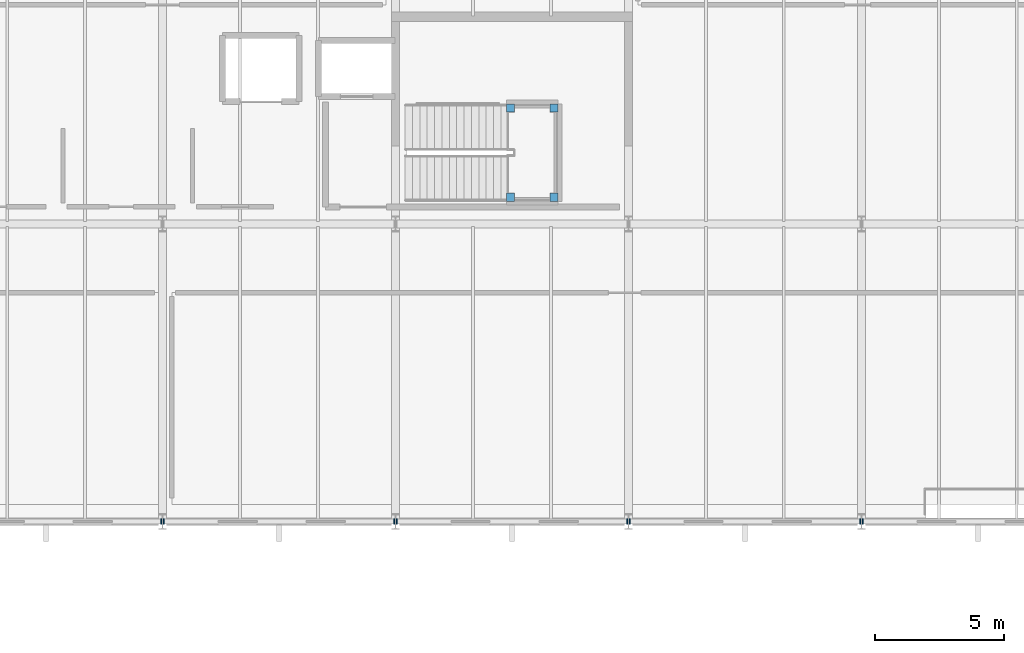
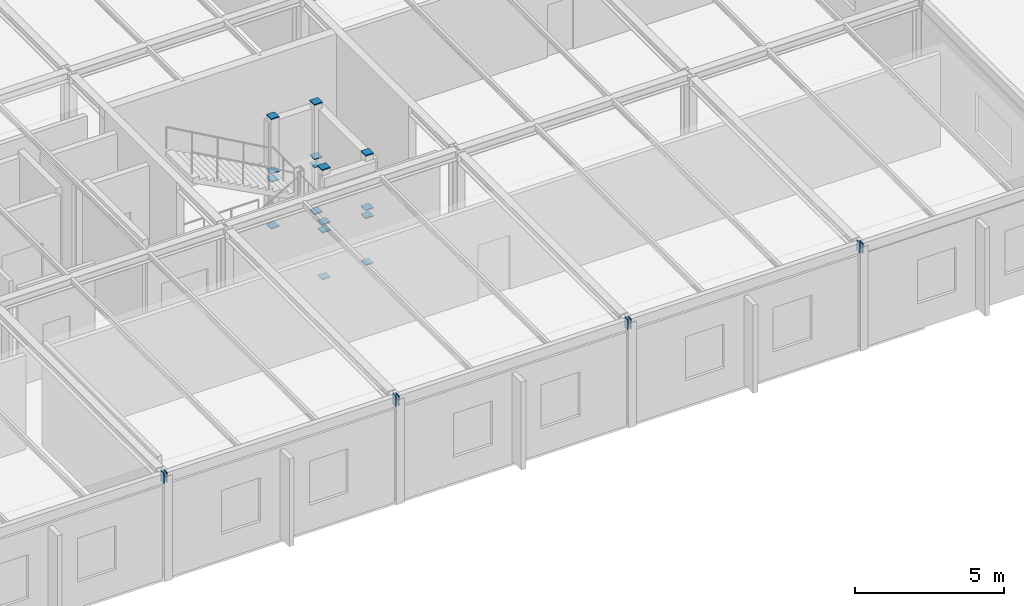
# One storey, part 73 of 105: 24 discrete accessories.
"""IFC4 building model written with IfcOpenShell, lengths in metres."""

from ifc_helpers import new_model, si_unit, direction, frame, origin, origin_2d, place, context, subcontext, project, spatial, rectangle, extrude, material, element, save


model = new_model("IFC4")

# Units and contexts
model_context = context("Model", 3, precision=1e-05, world=origin(), true_north=direction((0.0, 1.0)))
body_context = subcontext(model_context, "Body", "Model", "MODEL_VIEW")
ifc_project = project(units=[si_unit("LENGTHUNIT", "METRE"), si_unit("AREAUNIT", "SQUARE_METRE"), si_unit("VOLUMEUNIT", "CUBIC_METRE"), si_unit("PLANEANGLEUNIT", "RADIAN"), si_unit("MASSUNIT", "GRAM", prefix="KILO")], contexts=[model_context])

# Site, building, storey
site_placement = place(None, origin())
site = spatial("IfcSite", under=ifc_project, at=site_placement, CompositionType="ELEMENT")
building_placement = place(site_placement, origin())
building = spatial("IfcBuilding", under=site, at=building_placement, Name="Marlcrest Central Station", CompositionType="ELEMENT")
storey_placement = place(building_placement, frame((0.0, 0.0, 15.0)))
storey = spatial("IfcBuildingStorey", under=building, at=storey_placement, Name="L03", CompositionType="ELEMENT", Elevation=15.0)

# Discrete accessories
ifc_material = material(Name="Steel S355", Category="steel")
for number, where, z_axis, x_axis, name in (
    (1, (35.925048828125, 99.0, 4.0849609375), (1.0, 0.0, 0.0), (0.0, 1.0, 0.0), "endcap-bm-SP-01-L03-00471-e"),
    (2, (36.03515625, 99.0, 4.0849609375), (1.0, 0.0, 0.0), (0.0, 1.0, 0.0), "endcap-bm-SP-01-L03-00472-s"),
    (3, (44.925048828125, 99.0, 4.0849609375), (1.0, 0.0, 0.0), (0.0, 1.0, 0.0), "endcap-bm-SP-01-L03-00472-e"),
    (4, (45.03515625, 99.0, 4.0849609375), (1.0, 0.0, 0.0), (0.0, 1.0, 0.0), "endcap-bm-SP-01-L03-00473-s"),
    (5, (53.925048828125, 99.0, 4.0849609375), (1.0, 0.0, 0.0), (0.0, 1.0, 0.0), "endcap-bm-SP-01-L03-00473-e"),
    (6, (54.03515625, 99.0, 4.0849609375), (1.0, 0.0, 0.0), (0.0, 1.0, 0.0), "endcap-bm-SP-01-L03-00474-s"),
    (7, (62.925048828125, 99.0, 4.0849609375), (1.0, 0.0, 0.0), (0.0, 1.0, 0.0), "endcap-bm-SP-01-L03-00474-e"),
    (8, (63.03515625, 99.0, 4.034912109375), (1.0, 0.0, 0.0), (0.0, 1.0, 0.0), "endcap-bm-SP-01-L03-00475-s"),
):
    element("IfcDiscreteAccessory", number, at=place(storey_placement, frame(where, z_axis=z_axis, x_axis=x_axis)), inside=storey, material=ifc_material, Name=name, ObjectType="END_CAP_PLATE", PredefinedType="BRACKET", context=body_context, shape_type="SweptSolid", body=[
        extrude(rectangle(XDim=0.216064453125, YDim=0.416015625, at=origin_2d()), origin(), (0.0, 0.0, 1.0), 0.0400390625),
    ])
for number, where, z_axis, x_axis, name in (
    (9, (49.43994140625, 111.530029296875, -0.014892578125), (0.0, 0.0, 1.0), (1.0, 0.0, 0.0), "endcap-htcol-lo-0051-0-s"),
    (10, (49.43994140625, 111.530029296875, 1.905029296875), (0.0, 0.0, 1.0), (1.0, 0.0, 0.0), "endcap-htcol-lo-0051-0-e"),
    (11, (49.43994140625, 111.530029296875, 2.235107421875), (0.0, 0.0, 1.0), (1.0, 0.0, 0.0), "endcap-htcol-hi-0051-0-s"),
    (12, (49.43994140625, 111.530029296875, 4.47509765625), (0.0, 0.0, 1.0), (1.0, 0.0, 0.0), "endcap-htcol-hi-0051-0-e"),
    (13, (51.1201171875, 111.530029296875, -0.014892578125), (0.0, 0.0, 1.0), (1.0, 0.0, 0.0), "endcap-htcol-lo-0051-1-s"),
    (14, (51.1201171875, 111.530029296875, 1.905029296875), (0.0, 0.0, 1.0), (1.0, 0.0, 0.0), "endcap-htcol-lo-0051-1-e"),
    (15, (51.1201171875, 111.530029296875, 2.235107421875), (0.0, 0.0, 1.0), (1.0, 0.0, 0.0), "endcap-htcol-hi-0051-1-s"),
    (16, (51.1201171875, 111.530029296875, 4.47509765625), (0.0, 0.0, 1.0), (1.0, 0.0, 0.0), "endcap-htcol-hi-0051-1-e"),
    (17, (51.1201171875, 114.969970703125, -0.014892578125), (0.0, 0.0, 1.0), (1.0, 0.0, 0.0), "endcap-htcol-lo-0051-2-s"),
    (18, (51.1201171875, 114.969970703125, 1.905029296875), (0.0, 0.0, 1.0), (1.0, 0.0, 0.0), "endcap-htcol-lo-0051-2-e"),
    (19, (51.1201171875, 114.969970703125, 2.235107421875), (0.0, 0.0, 1.0), (1.0, 0.0, 0.0), "endcap-htcol-hi-0051-2-s"),
    (20, (51.1201171875, 114.969970703125, 4.47509765625), (0.0, 0.0, 1.0), (1.0, 0.0, 0.0), "endcap-htcol-hi-0051-2-e"),
    (21, (49.43994140625, 114.969970703125, -0.014892578125), (0.0, 0.0, 1.0), (1.0, 0.0, 0.0), "endcap-htcol-lo-0051-3-s"),
    (22, (49.43994140625, 114.969970703125, 1.905029296875), (0.0, 0.0, 1.0), (1.0, 0.0, 0.0), "endcap-htcol-lo-0051-3-e"),
    (23, (49.43994140625, 114.969970703125, 2.235107421875), (0.0, 0.0, 1.0), (1.0, 0.0, 0.0), "endcap-htcol-hi-0051-3-s"),
    (24, (49.43994140625, 114.969970703125, 4.47509765625), (0.0, 0.0, 1.0), (1.0, 0.0, 0.0), "endcap-htcol-hi-0051-3-e"),
):
    element("IfcDiscreteAccessory", number, at=place(storey_placement, frame(where, z_axis=z_axis, x_axis=x_axis)), inside=storey, material=ifc_material, Name=name, ObjectType="END_CAP_PLATE", PredefinedType="BRACKET", context=body_context, shape_type="SweptSolid", body=[
        extrude(rectangle(XDim=0.31591796875, YDim=0.31591796875, at=origin_2d()), origin(), (0.0, 0.0, 1.0), 0.0400390625),
    ])

save(model, "model.ifc")
